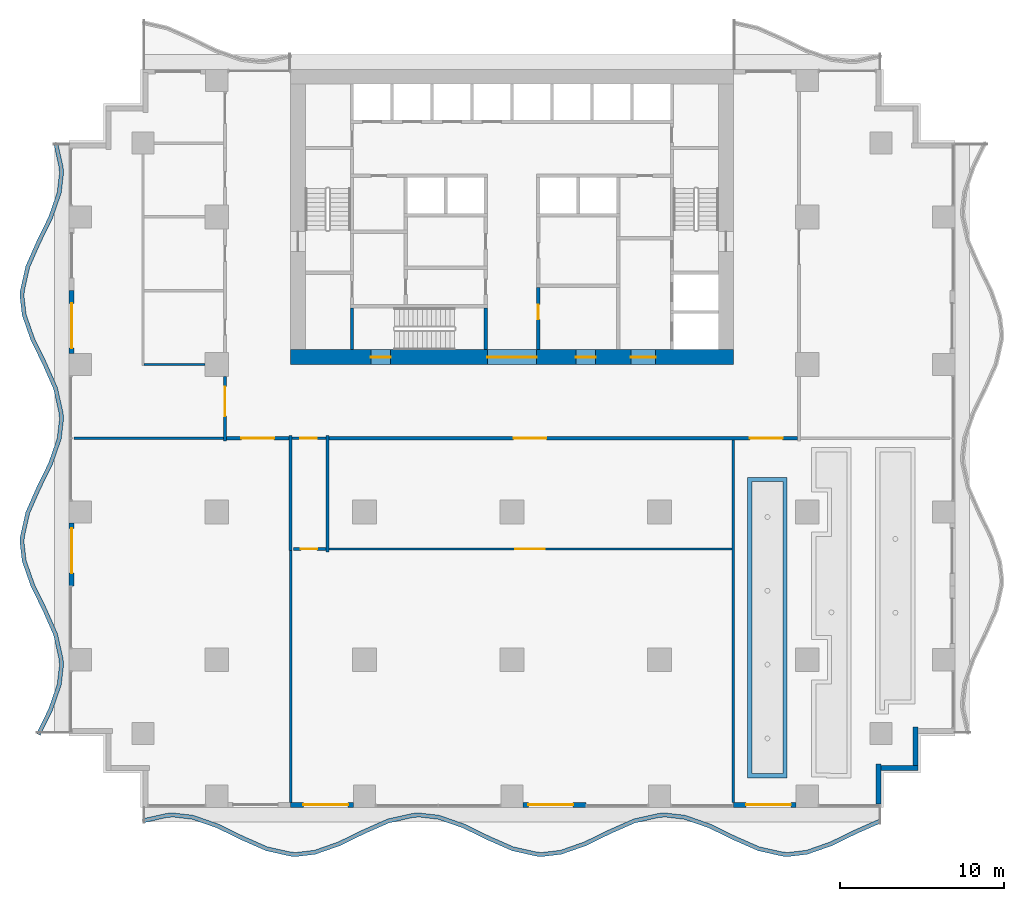
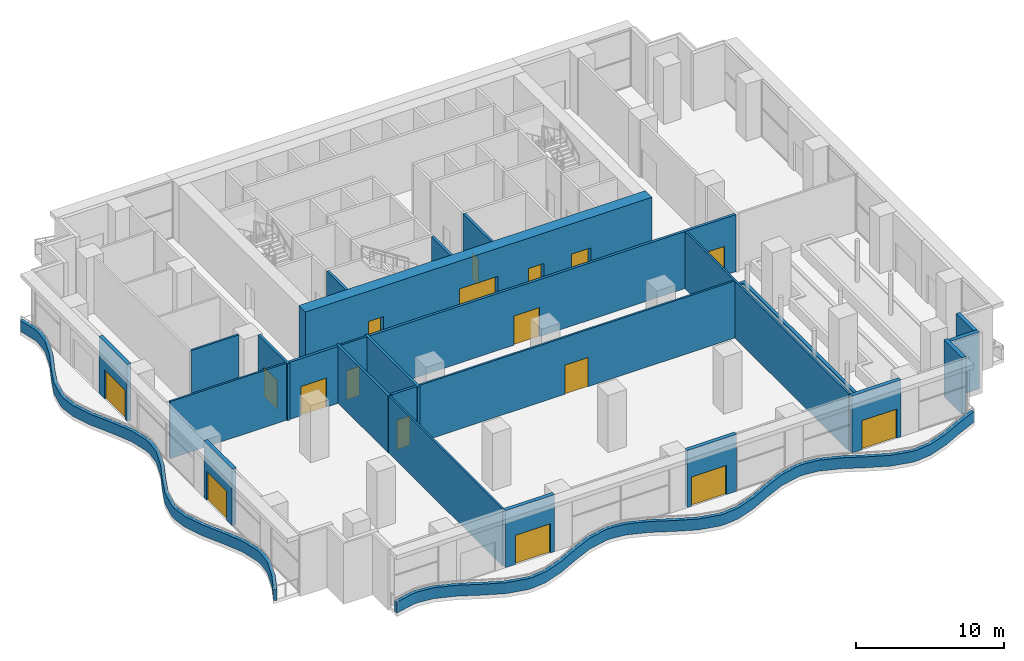
# One storey, part 7 of 18: 27 walls, 17 doors, 17 openings.
"""IFC4 building model written with IfcOpenShell, lengths in metres."""

from ifc_helpers import new_model, si_unit, direction, frame, frame_2d, origin, place, context, subcontext, project, spatial, polyline, rectangle, outline, extrude, material, layer, layer_set, type_object, element, fill, save


model = new_model("IFC4")

# Units and contexts
model_context = context("Model", 3, precision=1e-05, world=origin(), true_north=direction((0.0, 1.0)))
body_context = subcontext(model_context, "Body", "Model", "MODEL_VIEW")
ifc_project = project(units=[si_unit("LENGTHUNIT", "METRE"), si_unit("AREAUNIT", "SQUARE_METRE"), si_unit("VOLUMEUNIT", "CUBIC_METRE"), si_unit("PLANEANGLEUNIT", "RADIAN"), si_unit("MASSUNIT", "GRAM", prefix="KILO")], contexts=[model_context])

# Site, building, storey
site_placement = place(None, origin())
site = spatial("IfcSite", under=ifc_project, at=site_placement, CompositionType="ELEMENT")
building_placement = place(site_placement, origin())
building = spatial("IfcBuilding", under=site, at=building_placement, Name="Orbiselva Terraces", CompositionType="ELEMENT")
storey_placement = place(building_placement, frame((0.0, 0.0, 64.4)))
storey = spatial("IfcBuildingStorey", under=building, at=storey_placement, Name="L16", CompositionType="ELEMENT", Elevation=64.4)

# Wall, openings, doors
ifc_material_1 = material(Name="Concrete C80/95", Category="concrete")
ifc_layer_1 = layer(ifc_material_1, 0.9)
ifc_layer_set_1 = layer_set([ifc_layer_1], Name="Concrete C80/95")
wall_type_1 = type_object("IfcWallType", Name="CORE WALL 900", PredefinedType="SHEAR", material=ifc_layer_set_1)
wall_1_placement = place(storey_placement, frame((-13.5, 4.95, -0.3), z_axis=(0.0, 0.0, 1.0), x_axis=(1.0, 0.0, 0.0)))
wall_1 = element("IfcWall", 1, at=wall_1_placement, inside=storey, type_object=wall_type_1, Name="Core wall L16 south", PredefinedType="SHEAR", context=body_context, shape_type="SweptSolid", body=[
    extrude(rectangle(XDim=27.0, YDim=0.9, at=frame_2d((13.5, 0.0))), origin(), (0.0, 0.0, 1.0), 5.0),
])
opening_1_placement = place(wall_1_placement, frame((12.0, 0.0, 0.3)))
opening_1 = element("IfcOpeningElement", 2, at=opening_1_placement, cuts=wall_1, Name="Opening DL3000", PredefinedType="OPENING", context=body_context, shape_type="SweptSolid", body=[
    extrude(rectangle(XDim=3.0, YDim=2.4, at=frame_2d((1.5, 1.2))), frame((0.0, 0.46, 0.0), z_axis=(0.0, -1.0, 0.0), x_axis=(1.0, 0.0, 0.0)), (0.0, 0.0, 1.0), 0.92),
])
opening_2_placement = place(wall_1_placement, frame((4.9, 0.0, 0.3)))
opening_2 = element("IfcOpeningElement", 3, at=opening_2_placement, cuts=wall_1, Name="Opening DS1200", PredefinedType="OPENING", context=body_context, shape_type="SweptSolid", body=[
    extrude(rectangle(XDim=1.2, YDim=2.2, at=frame_2d((0.6, 1.1))), frame((0.0, 0.46, 0.0), z_axis=(0.0, -1.0, 0.0), x_axis=(1.0, 0.0, 0.0)), (0.0, 0.0, 1.0), 0.92),
])
opening_3_placement = place(wall_1_placement, frame((20.75, 0.0, 0.3)))
opening_3 = element("IfcOpeningElement", 4, at=opening_3_placement, cuts=wall_1, Name="Opening DF1500", PredefinedType="OPENING", context=body_context, shape_type="SweptSolid", body=[
    extrude(rectangle(XDim=1.5, YDim=2.2, at=frame_2d((0.75, 1.1))), frame((0.0, 0.46, 0.0), z_axis=(0.0, -1.0, 0.0), x_axis=(1.0, 0.0, 0.0)), (0.0, 0.0, 1.0), 0.92),
])
opening_4_placement = place(wall_1_placement, frame((17.4, 0.0, 0.3)))
opening_4 = element("IfcOpeningElement", 5, at=opening_4_placement, cuts=wall_1, Name="Opening DV1200", PredefinedType="OPENING", context=body_context, shape_type="SweptSolid", body=[
    extrude(rectangle(XDim=1.2, YDim=2.2, at=frame_2d((0.6, 1.1))), frame((0.0, 0.46, 0.0), z_axis=(0.0, -1.0, 0.0), x_axis=(1.0, 0.0, 0.0)), (0.0, 0.0, 1.0), 0.92),
])
ifc_material_2 = material(Name="Steel fire door", Category="steel")
door_type_1 = type_object("IfcDoorType", Name="FFL DOOR 1500", OperationType="DOUBLE_DOOR_SINGLE_SWING", PredefinedType="DOOR", material=ifc_material_2)
door_1_placement = place(opening_3_placement, frame((1.5, 0.0, 0.0), z_axis=(0.0, 0.0, 1.0), x_axis=(-1.0, 0.0, 0.0)))
door_1 = element("IfcDoor", 6, at=door_1_placement, inside=storey, type_object=door_type_1, Name="L16 FIRE-FIGHTING LOBBY door", OperationType="DOUBLE_DOOR_SINGLE_SWING", OverallHeight=2.2, OverallWidth=1.5, PredefinedType="DOOR", context=body_context, shape_type="SweptSolid", body=[
    extrude(rectangle(XDim=1.5, YDim=2.2, at=frame_2d((0.75, 1.1))), frame((0.0, 0.025, 0.0), z_axis=(0.0, -1.0, 0.0), x_axis=(1.0, 0.0, 0.0)), (0.0, 0.0, 1.0), 0.05),
])
fill(opening_3, door_1)
door_type_2 = type_object("IfcDoorType", Name="LOBBY DOOR 3000", OperationType="DOUBLE_DOOR_SINGLE_SWING", PredefinedType="DOOR", material=ifc_material_2)
door_2_placement = place(opening_1_placement, frame((3.0, 0.0, 0.0), z_axis=(0.0, 0.0, 1.0), x_axis=(-1.0, 0.0, 0.0)))
door_2 = element("IfcDoor", 7, at=door_2_placement, inside=storey, type_object=door_type_2, Name="L16 LIFT LOBBY door", OperationType="DOUBLE_DOOR_SINGLE_SWING", OverallHeight=2.4, OverallWidth=3.0, PredefinedType="DOOR", context=body_context, shape_type="SweptSolid", body=[
    extrude(rectangle(XDim=3.0, YDim=2.4, at=frame_2d((1.5, 1.2))), frame((0.0, 0.025, 0.0), z_axis=(0.0, -1.0, 0.0), x_axis=(1.0, 0.0, 0.0)), (0.0, 0.0, 1.0), 0.05),
])
fill(opening_1, door_2)
door_type_3 = type_object("IfcDoorType", Name="SERVICE DOOR 1200", OperationType="NOTDEFINED", PredefinedType="DOOR", material=ifc_material_2)
door_3_placement = place(opening_4_placement, frame((1.2, 0.0, 0.0), z_axis=(0.0, 0.0, 1.0), x_axis=(-1.0, 0.0, 0.0)))
door_3 = element("IfcDoor", 8, at=door_3_placement, inside=storey, type_object=door_type_3, Name="L16 ELECTRICAL ROOM door", OperationType="SINGLE_SWING_RIGHT", OverallHeight=2.2, OverallWidth=1.2, PredefinedType="DOOR", context=body_context, shape_type="SweptSolid", body=[
    extrude(rectangle(XDim=1.2, YDim=2.2, at=frame_2d((0.6, 1.1))), frame((0.0, 0.025, 0.0), z_axis=(0.0, -1.0, 0.0), x_axis=(1.0, 0.0, 0.0)), (0.0, 0.0, 1.0), 0.05),
])
fill(opening_4, door_3)
door_type_4 = type_object("IfcDoorType", Name="STAIR DOOR 1200", OperationType="NOTDEFINED", PredefinedType="DOOR", material=ifc_material_2)
door_4_placement = place(opening_2_placement, frame((1.2, 0.0, 0.0), z_axis=(0.0, 0.0, 1.0), x_axis=(-1.0, 0.0, 0.0)))
door_4 = element("IfcDoor", 9, at=door_4_placement, inside=storey, type_object=door_type_4, Name="L16 EXIT STAIR S3 door", OperationType="SINGLE_SWING_LEFT", OverallHeight=2.2, OverallWidth=1.2, PredefinedType="DOOR", context=body_context, shape_type="SweptSolid", body=[
    extrude(rectangle(XDim=1.2, YDim=2.2, at=frame_2d((0.6, 1.1))), frame((0.0, 0.025, 0.0), z_axis=(0.0, -1.0, 0.0), x_axis=(1.0, 0.0, 0.0)), (0.0, 0.0, 1.0), 0.05),
])
fill(opening_2, door_4)

# Walls
ifc_material_3 = material(Name="Concrete C60/75", Category="concrete")
ifc_layer_2 = layer(ifc_material_3, 0.2)
ifc_layer_set_2 = layer_set([ifc_layer_2], Name="Concrete C60/75")
wall_type_2 = type_object("IfcWallType", Name="CORE-WALL-SHEAR-200", PredefinedType="SHEAR", material=ifc_layer_set_2)
for number, where, z_axis, x_axis, name in (
    (10, (-9.75, 5.4, 0.0), (0.0, 0.0, 1.0), (0.0, 1.0, 0.0), "L16 core wall 03"),
    (11, (-1.6, 5.4, 0.0), (0.0, 0.0, 1.0), (0.0, 1.0, 0.0), "L16 core wall 24"),
):
    element("IfcWall", number, at=place(storey_placement, frame(where, z_axis=z_axis, x_axis=x_axis)), inside=storey, type_object=wall_type_2, Name=name, PredefinedType="SHEAR", context=body_context, shape_type="SweptSolid", body=[
        extrude(rectangle(XDim=2.55, YDim=0.2, at=frame_2d((1.275, 0.0))), origin(), (0.0, 0.0, 1.0), 4.7),
    ])

# Wall, opening, door
wall_2_placement = place(storey_placement, frame((1.6, 9.2, 0.0), z_axis=(0.0, 0.0, 1.0), x_axis=(0.0, -1.0, 0.0)))
wall_2 = element("IfcWall", 12, at=wall_2_placement, inside=storey, type_object=wall_type_2, Name="L16 core wall 29", PredefinedType="SHEAR", context=body_context, shape_type="SweptSolid", body=[
    extrude(rectangle(XDim=3.8, YDim=0.2, at=frame_2d((1.9, 0.0))), origin(), (0.0, 0.0, 1.0), 4.7),
])
opening_5_placement = place(wall_2_placement, frame((1.05, 0.0, 0.0)))
opening_5 = element("IfcOpeningElement", 13, at=opening_5_placement, cuts=wall_2, Name="Opening DR900", PredefinedType="OPENING", context=body_context, shape_type="SweptSolid", body=[
    extrude(rectangle(XDim=0.9, YDim=2.1, at=frame_2d((0.45, 1.05))), frame((0.0, 0.11, 0.0), z_axis=(0.0, -1.0, 0.0), x_axis=(1.0, 0.0, 0.0)), (0.0, 0.0, 1.0), 0.22),
])
door_type_5 = type_object("IfcDoorType", Name="ROOM DOOR 900", OperationType="NOTDEFINED", PredefinedType="DOOR", material=ifc_material_2)
door_5_placement = place(opening_5_placement, origin())
door_5 = element("IfcDoor", 14, at=door_5_placement, inside=storey, type_object=door_type_5, Name="L16 ELECTRICAL ROOM door", OperationType="SINGLE_SWING_LEFT", OverallHeight=2.1, OverallWidth=0.9, PredefinedType="DOOR", context=body_context, shape_type="SweptSolid", body=[
    extrude(rectangle(XDim=0.9, YDim=2.1, at=frame_2d((0.45, 1.05))), frame((0.0, 0.025, 0.0), z_axis=(0.0, -1.0, 0.0), x_axis=(1.0, 0.0, 0.0)), (0.0, 0.0, 1.0), 0.05),
])
fill(opening_5, door_5)

# Walls
ifc_material_4 = material(Name="Concrete C40/50", Category="concrete")
ifc_layer_3 = layer(ifc_material_4, 0.25)
ifc_layer_set_3 = layer_set([ifc_layer_3], Name="Concrete C40/50")
wall_type_3 = type_object("IfcWallType", Name="ENV-GARDEN-BED-250x900", PredefinedType="USERDEFINED", material=ifc_layer_set_3)
wall_3_placement = place(storey_placement, origin())
element("IfcWall", 15, at=wall_3_placement, inside=storey, type_object=wall_type_3, Name="Planter L16 Planting bed 1", ObjectType="PLANTER", PredefinedType="USERDEFINED", context=body_context, shape_type="SweptSolid", body=[
    extrude(outline(polyline([(16.775, -20.7), (16.775, -2.4), (14.375, -2.4), (14.375, -20.7), (16.775, -20.7)]), holes=[polyline([(14.625, -20.45), (14.625, -2.65), (16.525, -2.65), (16.525, -20.45), (14.625, -20.45)])]), origin(), (0.0, 0.0, 1.0), 0.9),
])
ifc_layer_4 = layer(ifc_material_4, 0.25)
ifc_layer_set_4 = layer_set([ifc_layer_4], Name="Concrete C40/50")
wall_type_4 = type_object("IfcWallType", Name="ENV-PLANTER-250x900", PredefinedType="USERDEFINED", material=ifc_layer_set_4)
wall_4_placement = place(storey_placement, origin())
element("IfcWall", 16, at=wall_4_placement, inside=storey, type_object=wall_type_4, Name="Balcony planter L16 S", ObjectType="PLANTER", PredefinedType="USERDEFINED", context=body_context, shape_type="SweptSolid", body=[
    extrude(outline(polyline([(-22.5, -23.451472), (-21.0, -23.114774), (-20.625, -23.1), (-19.5, -23.230792), (-18.0, -23.755211), (-16.5, -24.487721), (-15.0, -25.148528), (-13.5, -25.485226), (-13.125, -25.5), (-12.0, -25.369208), (-10.5, -24.844789), (-9.0, -24.112279), (-7.5, -23.451472), (-6.0, -23.114774), (-5.625, -23.1), (-4.5, -23.230792), (-3.0, -23.755211), (-1.5, -24.487721), (0.0, -25.148528), (1.5, -25.485226), (1.875, -25.5), (3.0, -25.369208), (4.5, -24.844789), (6.0, -24.112279), (7.5, -23.451472), (9.0, -23.114774), (9.375, -23.1), (10.5, -23.230792), (12.0, -23.755211), (13.5, -24.487721), (15.0, -25.148528), (16.5, -25.485226), (16.875, -25.5), (18.0, -25.369208), (19.5, -24.844789), (21.0, -24.112279), (22.5, -23.451472), (22.399212, -23.222689), (20.894714, -23.885477), (19.40356, -24.613667), (17.943629, -25.124078), (16.865428, -25.249429), (16.532565, -25.236315), (15.078508, -24.90993), (13.605286, -24.260919), (12.09644, -23.524089), (10.556371, -22.985662), (9.384572, -22.849429), (8.967435, -22.865863), (7.421492, -23.212874), (5.894714, -23.885477), (4.40356, -24.613667), (2.943629, -25.124078), (1.865428, -25.249429), (1.532565, -25.236315), (0.078508, -24.90993), (-1.394714, -24.260919), (-2.90356, -23.524089), (-4.443629, -22.985662), (-5.615428, -22.849429), (-6.032565, -22.865863), (-7.578508, -23.212874), (-9.105286, -23.885477), (-10.59644, -24.613667), (-12.056371, -25.124078), (-13.134572, -25.249429), (-13.467435, -25.236315), (-14.921492, -24.90993), (-16.394714, -24.260919), (-17.90356, -23.524089), (-19.443629, -22.985662), (-20.615428, -22.849429), (-21.032565, -22.865863), (-22.554754, -23.207542), (-22.5, -23.451472)])), origin(), (0.0, 0.0, 1.0), 0.9),
])
wall_5_placement = place(storey_placement, origin())
element("IfcWall", 17, at=wall_5_placement, inside=storey, type_object=wall_type_4, Name="Balcony planter L16 W", ObjectType="PLANTER", PredefinedType="USERDEFINED", context=body_context, shape_type="SweptSolid", body=[
    extrude(outline(polyline([(-27.951472, 18.0), (-27.614774, 16.5), (-27.6, 16.125), (-27.730792, 15.0), (-28.255211, 13.5), (-28.987721, 12.0), (-29.648528, 10.5), (-29.985226, 9.0), (-30.0, 8.625), (-29.869208, 7.5), (-29.344789, 6.0), (-28.612279, 4.5), (-27.951472, 3.0), (-27.614774, 1.5), (-27.6, 1.125), (-27.730792, 0.0), (-28.255211, -1.5), (-28.987721, -3.0), (-29.648528, -4.5), (-29.985226, -6.0), (-30.0, -6.375), (-29.869208, -7.5), (-29.344789, -9.0), (-28.612279, -10.5), (-27.951472, -12.0), (-27.614774, -13.5), (-27.6, -13.875), (-27.730792, -15.0), (-28.255211, -16.5), (-28.987721, -18.0), (-28.763076, -18.109703), (-28.024089, -16.59644), (-27.485662, -15.056371), (-27.349429, -13.884572), (-27.365863, -13.467435), (-27.712874, -11.921492), (-28.385477, -10.394714), (-29.113667, -8.90356), (-29.624078, -7.443629), (-29.749429, -6.365428), (-29.736315, -6.032565), (-29.40993, -4.578508), (-28.760919, -3.105286), (-28.024089, -1.59644), (-27.485662, -0.056371), (-27.349429, 1.115428), (-27.365863, 1.532565), (-27.712874, 3.078508), (-28.385477, 4.605286), (-29.113667, 6.09644), (-29.624078, 7.556371), (-29.749429, 8.634572), (-29.736315, 8.967435), (-29.40993, 10.421492), (-28.760919, 11.894714), (-28.024089, 13.40356), (-27.485662, 14.943629), (-27.349429, 16.115428), (-27.365863, 16.532565), (-27.707542, 18.054754), (-27.951472, 18.0)])), origin(), (0.0, 0.0, 1.0), 0.9),
])

# Wall, opening, door
ifc_material_5 = material(Name="Terracotta cladding on masonry backing", Category="masonry")
ifc_layer_5 = layer(ifc_material_5, 0.3)
ifc_layer_set_5 = layer_set([ifc_layer_5], Name="Terracotta cladding on masonry backing")
wall_type_5 = type_object("IfcWallType", Name="ENV-WALL-TERRACOTTA-300", PredefinedType="SOLIDWALL", material=ifc_layer_set_5)
wall_6_placement = place(storey_placement, frame((-9.675, -22.35, 0.0), z_axis=(0.0, 0.0, 1.0), x_axis=(-1.0, 0.0, 0.0)))
wall_6 = element("IfcWall", 18, at=wall_6_placement, inside=storey, type_object=wall_type_5, Name="Facade wall L16 S", PredefinedType="SOLIDWALL", context=body_context, shape_type="SweptSolid", body=[
    extrude(rectangle(XDim=3.825, YDim=0.3, at=frame_2d((1.9125, 0.0))), origin(), (0.0, 0.0, 1.0), 4.7),
])
opening_6_placement = place(wall_6_placement, frame((0.325, 0.0, 0.0)))
opening_6 = element("IfcOpeningElement", 19, at=opening_6_placement, cuts=wall_6, Name="Opening SKY-1-E02", PredefinedType="OPENING", context=body_context, shape_type="SweptSolid", body=[
    extrude(rectangle(XDim=2.725, YDim=2.4, at=frame_2d((1.3625, 1.2))), frame((0.0, 0.16, 0.0), z_axis=(0.0, -1.0, 0.0), x_axis=(1.0, 0.0, 0.0)), (0.0, 0.0, 1.0), 0.32),
])
ifc_material_6 = material(Name="Clear low-e glazing in aluminium frame", Category="aluminium")
door_type_6 = type_object("IfcDoorType", Name="BALCONY DOOR 2725 X 2400", OperationType="DOUBLE_DOOR_SLIDING", PredefinedType="DOOR", material=ifc_material_6)
door_6_placement = place(opening_6_placement, origin())
door_6 = element("IfcDoor", 20, at=door_6_placement, inside=storey, type_object=door_type_6, Name="SKY-1-E02", OperationType="SINGLE_SWING_LEFT", OverallHeight=2.4, OverallWidth=2.725, PredefinedType="DOOR", context=body_context, shape_type="SweptSolid", body=[
    extrude(rectangle(XDim=2.725, YDim=2.4, at=frame_2d((1.3625, 1.2))), frame((0.0, 0.025, 0.0), z_axis=(0.0, -1.0, 0.0), x_axis=(1.0, 0.0, 0.0)), (0.0, 0.0, 1.0), 0.05),
])
fill(opening_6, door_6)

wall_7_placement = place(storey_placement, frame((4.5, -22.35, 0.0), z_axis=(0.0, 0.0, 1.0), x_axis=(-1.0, 0.0, 0.0)))
wall_7 = element("IfcWall", 21, at=wall_7_placement, inside=storey, type_object=wall_type_5, Name="Facade wall L16 S", PredefinedType="SOLIDWALL", context=body_context, shape_type="SweptSolid", body=[
    extrude(rectangle(XDim=3.825, YDim=0.3, at=frame_2d((1.9125, 0.0))), origin(), (0.0, 0.0, 1.0), 4.7),
])
opening_7_placement = place(wall_7_placement, frame((0.775, 0.0, 0.0)))
opening_7 = element("IfcOpeningElement", 22, at=opening_7_placement, cuts=wall_7, Name="Opening SKY-1-E03", PredefinedType="OPENING", context=body_context, shape_type="SweptSolid", body=[
    extrude(rectangle(XDim=2.725, YDim=2.4, at=frame_2d((1.3625, 1.2))), frame((0.0, 0.16, 0.0), z_axis=(0.0, -1.0, 0.0), x_axis=(1.0, 0.0, 0.0)), (0.0, 0.0, 1.0), 0.32),
])
door_7_placement = place(opening_7_placement, origin())
door_7 = element("IfcDoor", 23, at=door_7_placement, inside=storey, type_object=door_type_6, Name="SKY-1-E03", OperationType="SINGLE_SWING_LEFT", OverallHeight=2.4, OverallWidth=2.725, PredefinedType="DOOR", context=body_context, shape_type="SweptSolid", body=[
    extrude(rectangle(XDim=2.725, YDim=2.4, at=frame_2d((1.3625, 1.2))), frame((0.0, 0.025, 0.0), z_axis=(0.0, -1.0, 0.0), x_axis=(1.0, 0.0, 0.0)), (0.0, 0.0, 1.0), 0.05),
])
fill(opening_7, door_7)

wall_8_placement = place(storey_placement, frame((17.325, -22.35, 0.0), z_axis=(0.0, 0.0, 1.0), x_axis=(-1.0, 0.0, 0.0)))
wall_8 = element("IfcWall", 24, at=wall_8_placement, inside=storey, type_object=wall_type_5, Name="Facade wall L16 S", PredefinedType="SOLIDWALL", context=body_context, shape_type="SweptSolid", body=[
    extrude(rectangle(XDim=3.825, YDim=0.3, at=frame_2d((1.9125, 0.0))), origin(), (0.0, 0.0, 1.0), 4.7),
])
opening_8_placement = place(wall_8_placement, frame((0.325, 0.0, 0.0)))
opening_8 = element("IfcOpeningElement", 25, at=opening_8_placement, cuts=wall_8, Name="Opening SKY-1-E04", PredefinedType="OPENING", context=body_context, shape_type="SweptSolid", body=[
    extrude(rectangle(XDim=2.725, YDim=2.4, at=frame_2d((1.3625, 1.2))), frame((0.0, 0.16, 0.0), z_axis=(0.0, -1.0, 0.0), x_axis=(1.0, 0.0, 0.0)), (0.0, 0.0, 1.0), 0.32),
])
door_8_placement = place(opening_8_placement, origin())
door_8 = element("IfcDoor", 26, at=door_8_placement, inside=storey, type_object=door_type_6, Name="SKY-1-E04", OperationType="SINGLE_SWING_LEFT", OverallHeight=2.4, OverallWidth=2.725, PredefinedType="DOOR", context=body_context, shape_type="SweptSolid", body=[
    extrude(rectangle(XDim=2.725, YDim=2.4, at=frame_2d((1.3625, 1.2))), frame((0.0, 0.025, 0.0), z_axis=(0.0, -1.0, 0.0), x_axis=(1.0, 0.0, 0.0)), (0.0, 0.0, 1.0), 0.05),
])
fill(opening_8, door_8)

# Walls
wall_9_placement = place(storey_placement, frame((22.35, -19.85, 0.0), z_axis=(0.0, 0.0, 1.0), x_axis=(0.0, -1.0, 0.0)))
element("IfcWall", 27, at=wall_9_placement, inside=storey, type_object=wall_type_5, Name="Facade wall L16 STEP", PredefinedType="SOLIDWALL", context=body_context, shape_type="SweptSolid", body=[
    extrude(rectangle(XDim=2.45, YDim=0.3, at=frame_2d((1.225, 0.0))), origin(), (0.0, 0.0, 1.0), 4.7),
])
wall_10_placement = place(storey_placement, frame((24.75, -20.1, 0.0), z_axis=(0.0, 0.0, 1.0), x_axis=(-1.0, 0.0, 0.0)))
element("IfcWall", 28, at=wall_10_placement, inside=storey, type_object=wall_type_5, Name="Facade wall L16 STEP", PredefinedType="SOLIDWALL", context=body_context, shape_type="SweptSolid", body=[
    extrude(rectangle(XDim=2.25, YDim=0.3, at=frame_2d((1.125, 0.0))), origin(), (0.0, 0.0, 1.0), 4.7),
])
wall_11_placement = place(storey_placement, frame((24.6, -17.6, 0.0), z_axis=(0.0, 0.0, 1.0), x_axis=(0.0, -1.0, 0.0)))
element("IfcWall", 29, at=wall_11_placement, inside=storey, type_object=wall_type_5, Name="Facade wall L16 STEP", PredefinedType="SOLIDWALL", context=body_context, shape_type="SweptSolid", body=[
    extrude(rectangle(XDim=2.35, YDim=0.3, at=frame_2d((1.175, 0.0))), origin(), (0.0, 0.0, 1.0), 4.7),
])

# Wall, opening, door
wall_12_placement = place(storey_placement, frame((-26.85, 5.175, 0.0), z_axis=(0.0, 0.0, 1.0), x_axis=(0.0, 1.0, 0.0)))
wall_12 = element("IfcWall", 30, at=wall_12_placement, inside=storey, type_object=wall_type_5, Name="Facade wall L16 W", PredefinedType="SOLIDWALL", context=body_context, shape_type="SweptSolid", body=[
    extrude(rectangle(XDim=3.825, YDim=0.3, at=frame_2d((1.9125, 0.0))), origin(), (0.0, 0.0, 1.0), 4.7),
])
opening_9_placement = place(wall_12_placement, frame((0.325, 0.0, 0.0)))
opening_9 = element("IfcOpeningElement", 31, at=opening_9_placement, cuts=wall_12, Name="Opening SKY-1-E11", PredefinedType="OPENING", context=body_context, shape_type="SweptSolid", body=[
    extrude(rectangle(XDim=2.725, YDim=2.4, at=frame_2d((1.3625, 1.2))), frame((0.0, 0.16, 0.0), z_axis=(0.0, -1.0, 0.0), x_axis=(1.0, 0.0, 0.0)), (0.0, 0.0, 1.0), 0.32),
])
door_9_placement = place(opening_9_placement, origin())
door_9 = element("IfcDoor", 32, at=door_9_placement, inside=storey, type_object=door_type_6, Name="SKY-1-E11", OperationType="SINGLE_SWING_LEFT", OverallHeight=2.4, OverallWidth=2.725, PredefinedType="DOOR", context=body_context, shape_type="SweptSolid", body=[
    extrude(rectangle(XDim=2.725, YDim=2.4, at=frame_2d((1.3625, 1.2))), frame((0.0, 0.025, 0.0), z_axis=(0.0, -1.0, 0.0), x_axis=(1.0, 0.0, 0.0)), (0.0, 0.0, 1.0), 0.05),
])
fill(opening_9, door_9)

wall_13_placement = place(storey_placement, frame((-26.85, -9.0, 0.0), z_axis=(0.0, 0.0, 1.0), x_axis=(0.0, 1.0, 0.0)))
wall_13 = element("IfcWall", 33, at=wall_13_placement, inside=storey, type_object=wall_type_5, Name="Facade wall L16 W", PredefinedType="SOLIDWALL", context=body_context, shape_type="SweptSolid", body=[
    extrude(rectangle(XDim=3.825, YDim=0.3, at=frame_2d((1.9125, 0.0))), origin(), (0.0, 0.0, 1.0), 4.7),
])
opening_10_placement = place(wall_13_placement, frame((0.775, 0.0, 0.0)))
opening_10 = element("IfcOpeningElement", 34, at=opening_10_placement, cuts=wall_13, Name="Opening SKY-1-E12", PredefinedType="OPENING", context=body_context, shape_type="SweptSolid", body=[
    extrude(rectangle(XDim=2.725, YDim=2.4, at=frame_2d((1.3625, 1.2))), frame((0.0, 0.16, 0.0), z_axis=(0.0, -1.0, 0.0), x_axis=(1.0, 0.0, 0.0)), (0.0, 0.0, 1.0), 0.32),
])
door_10_placement = place(opening_10_placement, origin())
door_10 = element("IfcDoor", 35, at=door_10_placement, inside=storey, type_object=door_type_6, Name="SKY-1-E12", OperationType="SINGLE_SWING_LEFT", OverallHeight=2.4, OverallWidth=2.725, PredefinedType="DOOR", context=body_context, shape_type="SweptSolid", body=[
    extrude(rectangle(XDim=2.725, YDim=2.4, at=frame_2d((1.3625, 1.2))), frame((0.0, 0.025, 0.0), z_axis=(0.0, -1.0, 0.0), x_axis=(1.0, 0.0, 0.0)), (0.0, 0.0, 1.0), 0.05),
])
fill(opening_10, door_10)

ifc_material_7 = material(Name="Plasterboard on steel stud partition", Category="steel")
ifc_layer_6 = layer(ifc_material_7, 0.2)
ifc_layer_set_6 = layer_set([ifc_layer_6], Name="Plasterboard on steel stud partition")
wall_type_6 = type_object("IfcWallType", Name="UNIT-ENTRANCE-WALL-200", PredefinedType="PARTITIONING", material=ifc_layer_set_6)
wall_14_placement = place(storey_placement, frame((-13.325, -6.75, 0.0), z_axis=(0.0, 0.0, 1.0), x_axis=(1.0, 0.0, 0.0)))
wall_14 = element("IfcWall", 36, at=wall_14_placement, inside=storey, type_object=wall_type_6, Name="PARTITION L16-001", PredefinedType="PARTITIONING", context=body_context, shape_type="SweptSolid", body=[
    extrude(rectangle(XDim=1.975, YDim=0.2, at=frame_2d((0.9875, 0.0))), origin(), (0.0, 0.0, 1.0), 4.7),
])
opening_11_placement = place(wall_14_placement, frame((0.45, 0.0, 0.0)))
opening_11 = element("IfcOpeningElement", 37, at=opening_11_placement, cuts=wall_14, Name="Opening SKY-1-12", PredefinedType="OPENING", context=body_context, shape_type="SweptSolid", body=[
    extrude(rectangle(XDim=1.0, YDim=2.4, at=frame_2d((0.5, 1.2))), frame((0.0, 0.11, 0.0), z_axis=(0.0, -1.0, 0.0), x_axis=(1.0, 0.0, 0.0)), (0.0, 0.0, 1.0), 0.22),
])
ifc_material_8 = material(Name="Painted timber door leaf", Category="wood")
door_type_7 = type_object("IfcDoorType", Name="ROOM DOOR 1000", OperationType="NOTDEFINED", PredefinedType="DOOR", material=ifc_material_8)
door_11_placement = place(opening_11_placement, origin())
door_11 = element("IfcDoor", 38, at=door_11_placement, inside=storey, type_object=door_type_7, Name="SKY-1-12", OperationType="SINGLE_SWING_LEFT", OverallHeight=2.4, OverallWidth=1.0, PredefinedType="DOOR", context=body_context, shape_type="SweptSolid", body=[
    extrude(rectangle(XDim=1.0, YDim=2.4, at=frame_2d((0.5, 1.2))), frame((0.0, 0.025, 0.0), z_axis=(0.0, -1.0, 0.0), x_axis=(1.0, 0.0, 0.0)), (0.0, 0.0, 1.0), 0.05),
])
fill(opening_11, door_11)

wall_15_placement = place(storey_placement, frame((-17.4, 0.0, 0.0), z_axis=(0.0, 0.0, 1.0), x_axis=(1.0, 0.0, 0.0)))
wall_15 = element("IfcWall", 39, at=wall_15_placement, inside=storey, type_object=wall_type_6, Name="PARTITION L16-003", PredefinedType="PARTITIONING", context=body_context, shape_type="SweptSolid", body=[
    extrude(rectangle(XDim=3.8, YDim=0.2, at=frame_2d((1.9, 0.0))), origin(), (0.0, 0.0, 1.0), 4.7),
])
opening_12_placement = place(wall_15_placement, frame((0.9, 0.0, 0.0)))
opening_12 = element("IfcOpeningElement", 40, at=opening_12_placement, cuts=wall_15, Name="Opening SKY-1-02", PredefinedType="OPENING", context=body_context, shape_type="SweptSolid", body=[
    extrude(rectangle(XDim=2.0, YDim=2.4, at=frame_2d((1.0, 1.2))), frame((0.0, 0.11, 0.0), z_axis=(0.0, -1.0, 0.0), x_axis=(1.0, 0.0, 0.0)), (0.0, 0.0, 1.0), 0.22),
])
door_type_8 = type_object("IfcDoorType", Name="AMENITY DOUBLE DOOR 2000", OperationType="NOTDEFINED", PredefinedType="DOOR", material=ifc_material_8)
door_12_placement = place(opening_12_placement, origin())
door_12 = element("IfcDoor", 41, at=door_12_placement, inside=storey, type_object=door_type_8, Name="SKY-1-02", OperationType="DOUBLE_DOOR_SINGLE_SWING", OverallHeight=2.4, OverallWidth=2.0, PredefinedType="DOOR", context=body_context, shape_type="SweptSolid", body=[
    extrude(rectangle(XDim=2.0, YDim=2.4, at=frame_2d((1.0, 1.2))), frame((0.0, 0.025, 0.0), z_axis=(0.0, -1.0, 0.0), x_axis=(1.0, 0.0, 0.0)), (0.0, 0.0, 1.0), 0.05),
])
fill(opening_12, door_12)

# Wall, openings, doors
wall_16_placement = place(storey_placement, frame((-11.15, 0.0, 0.0), z_axis=(0.0, 0.0, 1.0), x_axis=(1.0, 0.0, 0.0)))
wall_16 = element("IfcWall", 42, at=wall_16_placement, inside=storey, type_object=wall_type_6, Name="PARTITION L16-004", PredefinedType="PARTITIONING", context=body_context, shape_type="SweptSolid", body=[
    extrude(rectangle(XDim=28.55, YDim=0.2, at=frame_2d((14.275, 0.0))), origin(), (0.0, 0.0, 1.0), 4.7),
])
opening_13_placement = place(wall_16_placement, frame((11.25, 0.0, 0.0)))
opening_13 = element("IfcOpeningElement", 43, at=opening_13_placement, cuts=wall_16, Name="Opening SKY-1-03", PredefinedType="OPENING", context=body_context, shape_type="SweptSolid", body=[
    extrude(rectangle(XDim=2.0, YDim=2.4, at=frame_2d((1.0, 1.2))), frame((0.0, 0.11, 0.0), z_axis=(0.0, -1.0, 0.0), x_axis=(1.0, 0.0, 0.0)), (0.0, 0.0, 1.0), 0.22),
])
opening_14_placement = place(wall_16_placement, frame((25.65, 0.0, 0.0)))
opening_14 = element("IfcOpeningElement", 44, at=opening_14_placement, cuts=wall_16, Name="Opening SKY-1-04", PredefinedType="OPENING", context=body_context, shape_type="SweptSolid", body=[
    extrude(rectangle(XDim=2.0, YDim=2.4, at=frame_2d((1.0, 1.2))), frame((0.0, 0.11, 0.0), z_axis=(0.0, -1.0, 0.0), x_axis=(1.0, 0.0, 0.0)), (0.0, 0.0, 1.0), 0.22),
])
door_13_placement = place(opening_13_placement, origin())
door_13 = element("IfcDoor", 45, at=door_13_placement, inside=storey, type_object=door_type_8, Name="SKY-1-03", OperationType="DOUBLE_DOOR_SINGLE_SWING", OverallHeight=2.4, OverallWidth=2.0, PredefinedType="DOOR", context=body_context, shape_type="SweptSolid", body=[
    extrude(rectangle(XDim=2.0, YDim=2.4, at=frame_2d((1.0, 1.2))), frame((0.0, 0.025, 0.0), z_axis=(0.0, -1.0, 0.0), x_axis=(1.0, 0.0, 0.0)), (0.0, 0.0, 1.0), 0.05),
])
fill(opening_13, door_13)
door_14_placement = place(opening_14_placement, origin())
door_14 = element("IfcDoor", 46, at=door_14_placement, inside=storey, type_object=door_type_8, Name="SKY-1-04", OperationType="DOUBLE_DOOR_SINGLE_SWING", OverallHeight=2.4, OverallWidth=2.0, PredefinedType="DOOR", context=body_context, shape_type="SweptSolid", body=[
    extrude(rectangle(XDim=2.0, YDim=2.4, at=frame_2d((1.0, 1.2))), frame((0.0, 0.025, 0.0), z_axis=(0.0, -1.0, 0.0), x_axis=(1.0, 0.0, 0.0)), (0.0, 0.0, 1.0), 0.05),
])
fill(opening_14, door_14)

# Wall, opening, door
wall_17_placement = place(storey_placement, frame((-17.5, 3.775, 0.0), z_axis=(0.0, 0.0, 1.0), x_axis=(0.0, -1.0, 0.0)))
wall_17 = element("IfcWall", 47, at=wall_17_placement, inside=storey, type_object=wall_type_6, Name="PARTITION L16-013", PredefinedType="PARTITIONING", context=body_context, shape_type="SweptSolid", body=[
    extrude(rectangle(XDim=3.95, YDim=0.2, at=frame_2d((1.975, 0.0))), origin(), (0.0, 0.0, 1.0), 4.7),
])
opening_15_placement = place(wall_17_placement, frame((0.625, 0.0, 0.0)))
opening_15 = element("IfcOpeningElement", 48, at=opening_15_placement, cuts=wall_17, Name="Opening SKY-1-01", PredefinedType="OPENING", context=body_context, shape_type="SweptSolid", body=[
    extrude(rectangle(XDim=1.8, YDim=2.4, at=frame_2d((0.9, 1.2))), frame((0.0, 0.11, 0.0), z_axis=(0.0, -1.0, 0.0), x_axis=(1.0, 0.0, 0.0)), (0.0, 0.0, 1.0), 0.22),
])
door_type_9 = type_object("IfcDoorType", Name="DOUBLE DOOR 1800", OperationType="NOTDEFINED", PredefinedType="DOOR", material=ifc_material_8)
door_15_placement = place(opening_15_placement, origin())
door_15 = element("IfcDoor", 49, at=door_15_placement, inside=storey, type_object=door_type_9, Name="SKY-1-01", OperationType="DOUBLE_DOOR_SINGLE_SWING", OverallHeight=2.4, OverallWidth=1.8, PredefinedType="DOOR", context=body_context, shape_type="SweptSolid", body=[
    extrude(rectangle(XDim=1.8, YDim=2.4, at=frame_2d((0.9, 1.2))), frame((0.0, 0.025, 0.0), z_axis=(0.0, -1.0, 0.0), x_axis=(1.0, 0.0, 0.0)), (0.0, 0.0, 1.0), 0.05),
])
fill(opening_15, door_15)

# Walls
wall_18_placement = place(storey_placement, frame((-13.5, -6.85, 0.0), z_axis=(0.0, 0.0, 1.0), x_axis=(0.0, 1.0, 0.0)))
element("IfcWall", 50, at=wall_18_placement, inside=storey, type_object=wall_type_6, Name="PARTITION L16-017", PredefinedType="PARTITIONING", context=body_context, shape_type="SweptSolid", body=[
    extrude(rectangle(XDim=7.025, YDim=0.2, at=frame_2d((3.5125, 0.0))), origin(), (0.0, 0.0, 1.0), 4.7),
])
wall_19_placement = place(storey_placement, frame((-11.25, -6.925, 0.0), z_axis=(0.0, 0.0, 1.0), x_axis=(0.0, 1.0, 0.0)))
element("IfcWall", 51, at=wall_19_placement, inside=storey, type_object=wall_type_6, Name="PARTITION L16-019", PredefinedType="PARTITIONING", context=body_context, shape_type="SweptSolid", body=[
    extrude(rectangle(XDim=7.1, YDim=0.2, at=frame_2d((3.55, 0.0))), origin(), (0.0, 0.0, 1.0), 4.7),
])
ifc_layer_7 = layer(ifc_material_7, 0.15)
ifc_layer_set_7 = layer_set([ifc_layer_7], Name="Plasterboard on steel stud partition")
wall_type_7 = type_object("IfcWallType", Name="UNIT-PARTITION-150", PredefinedType="PARTITIONING", material=ifc_layer_set_7)
wall_20_placement = place(storey_placement, frame((-26.7, 0.0, 0.0), z_axis=(0.0, 0.0, 1.0), x_axis=(1.0, 0.0, 0.0)))
element("IfcWall", 52, at=wall_20_placement, inside=storey, type_object=wall_type_7, Name="PARTITION L16-005", PredefinedType="PARTITIONING", context=body_context, shape_type="SweptSolid", body=[
    extrude(rectangle(XDim=9.1, YDim=0.15, at=frame_2d((4.55, 0.0))), origin(), (0.0, 0.0, 1.0), 4.7),
])
wall_21_placement = place(storey_placement, frame((-22.425, 4.5, 0.0), z_axis=(0.0, 0.0, 1.0), x_axis=(1.0, 0.0, 0.0)))
element("IfcWall", 53, at=wall_21_placement, inside=storey, type_object=wall_type_7, Name="PARTITION L16-008", PredefinedType="PARTITIONING", context=body_context, shape_type="SweptSolid", body=[
    extrude(rectangle(XDim=3.7, YDim=0.15, at=frame_2d((1.85, 0.0))), origin(), (0.0, 0.0, 1.0), 4.7),
])
wall_22_placement = place(storey_placement, frame((-13.5, -22.2, 0.0), z_axis=(0.0, 0.0, 1.0), x_axis=(0.0, 1.0, 0.0)))
element("IfcWall", 54, at=wall_22_placement, inside=storey, type_object=wall_type_7, Name="PARTITION L16-018", PredefinedType="PARTITIONING", context=body_context, shape_type="SweptSolid", body=[
    extrude(rectangle(XDim=15.55, YDim=0.15, at=frame_2d((7.775, 0.0))), origin(), (0.0, 0.0, 1.0), 4.7),
])
wall_23_placement = place(storey_placement, frame((13.5, -22.2, 0.0), z_axis=(0.0, 0.0, 1.0), x_axis=(0.0, 1.0, 0.0)))
element("IfcWall", 55, at=wall_23_placement, inside=storey, type_object=wall_type_7, Name="PARTITION L16-020", PredefinedType="PARTITIONING", context=body_context, shape_type="SweptSolid", body=[
    extrude(rectangle(XDim=22.1, YDim=0.15, at=frame_2d((11.05, 0.0))), origin(), (0.0, 0.0, 1.0), 4.7),
])

# Wall, opening, door
ifc_layer_8 = layer(ifc_material_7, 0.15)
ifc_layer_set_8 = layer_set([ifc_layer_8], Name="Plasterboard on steel stud partition")
wall_type_8 = type_object("IfcWallType", Name="UNIT-PARTITION-FR-150", PredefinedType="PARTITIONING", material=ifc_layer_set_8)
wall_24_placement = place(storey_placement, frame((-11.15, -6.75, 0.0), z_axis=(0.0, 0.0, 1.0), x_axis=(1.0, 0.0, 0.0)))
wall_24 = element("IfcWall", 56, at=wall_24_placement, inside=storey, type_object=wall_type_8, Name="PARTITION L16-002", PredefinedType="PARTITIONING", context=body_context, shape_type="SweptSolid", body=[
    extrude(rectangle(XDim=24.575, YDim=0.15, at=frame_2d((12.2875, 0.0))), origin(), (0.0, 0.0, 1.0), 4.7),
])
opening_16_placement = place(wall_24_placement, frame((11.35, 0.0, 0.0)))
opening_16 = element("IfcOpeningElement", 57, at=opening_16_placement, cuts=wall_24, Name="Opening SKY-1-11", PredefinedType="OPENING", context=body_context, shape_type="SweptSolid", body=[
    extrude(rectangle(XDim=1.8, YDim=2.4, at=frame_2d((0.9, 1.2))), frame((0.0, 0.085, 0.0), z_axis=(0.0, -1.0, 0.0), x_axis=(1.0, 0.0, 0.0)), (0.0, 0.0, 1.0), 0.17),
])
door_16_placement = place(opening_16_placement, origin())
door_16 = element("IfcDoor", 58, at=door_16_placement, inside=storey, type_object=door_type_9, Name="SKY-1-11", OperationType="DOUBLE_DOOR_SINGLE_SWING", OverallHeight=2.4, OverallWidth=1.8, PredefinedType="DOOR", context=body_context, shape_type="SweptSolid", body=[
    extrude(rectangle(XDim=1.8, YDim=2.4, at=frame_2d((0.9, 1.2))), frame((0.0, 0.025, 0.0), z_axis=(0.0, -1.0, 0.0), x_axis=(1.0, 0.0, 0.0)), (0.0, 0.0, 1.0), 0.05),
])
fill(opening_16, door_16)

wall_25_placement = place(storey_placement, frame((-13.4, 0.0, 0.0), z_axis=(0.0, 0.0, 1.0), x_axis=(1.0, 0.0, 0.0)))
wall_25 = element("IfcWall", 59, at=wall_25_placement, inside=storey, type_object=wall_type_8, Name="PARTITION L16-006", PredefinedType="PARTITIONING", context=body_context, shape_type="SweptSolid", body=[
    extrude(rectangle(XDim=2.05, YDim=0.15, at=frame_2d((1.025, 0.0))), origin(), (0.0, 0.0, 1.0), 4.7),
])
opening_17_placement = place(wall_25_placement, frame((0.5, 0.0, 0.0)))
opening_17 = element("IfcOpeningElement", 60, at=opening_17_placement, cuts=wall_25, Name="Opening SKY-1-05", PredefinedType="OPENING", context=body_context, shape_type="SweptSolid", body=[
    extrude(rectangle(XDim=1.0, YDim=2.4, at=frame_2d((0.5, 1.2))), frame((0.0, 0.085, 0.0), z_axis=(0.0, -1.0, 0.0), x_axis=(1.0, 0.0, 0.0)), (0.0, 0.0, 1.0), 0.17),
])
door_17_placement = place(opening_17_placement, origin())
door_17 = element("IfcDoor", 61, at=door_17_placement, inside=storey, type_object=door_type_7, Name="SKY-1-05", OperationType="SINGLE_SWING_LEFT", OverallHeight=2.4, OverallWidth=1.0, PredefinedType="DOOR", context=body_context, shape_type="SweptSolid", body=[
    extrude(rectangle(XDim=1.0, YDim=2.4, at=frame_2d((0.5, 1.2))), frame((0.0, 0.025, 0.0), z_axis=(0.0, -1.0, 0.0), x_axis=(1.0, 0.0, 0.0)), (0.0, 0.0, 1.0), 0.05),
])
fill(opening_17, door_17)

save(model, "model.ifc")
